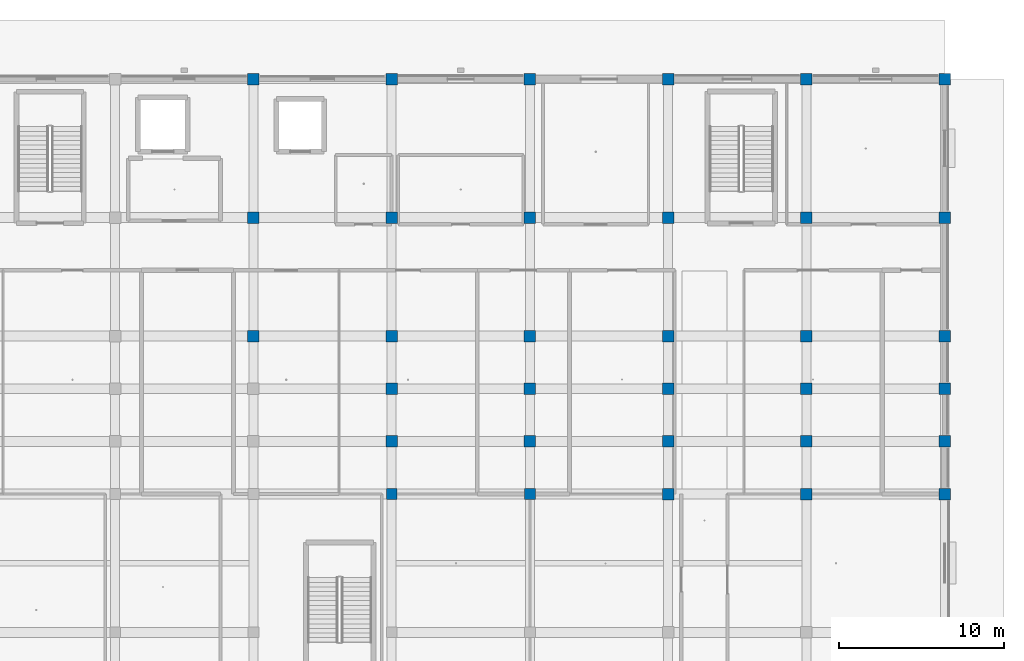
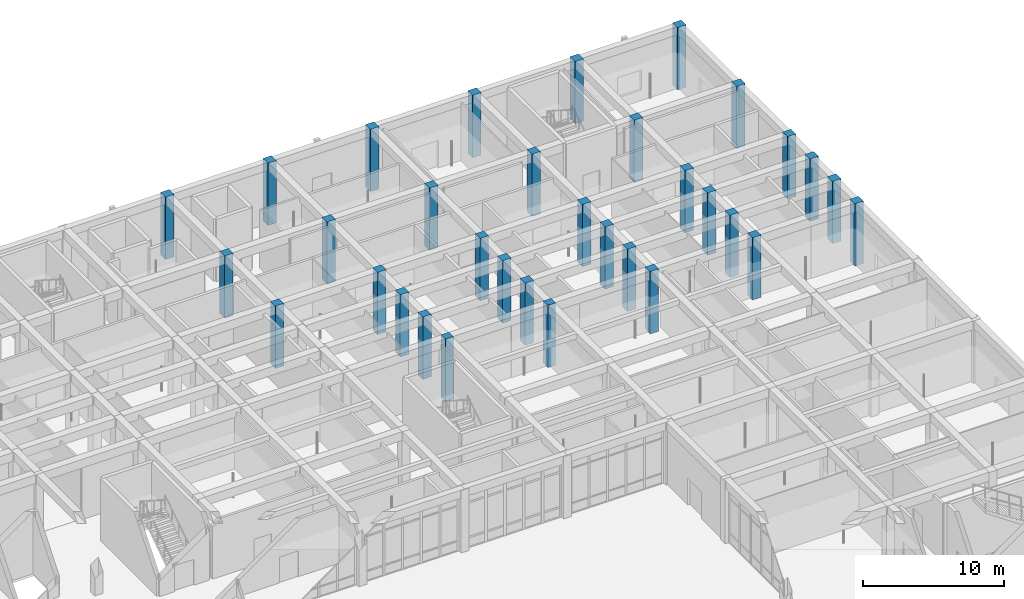
# One storey, part 6 of 167: 33 columns.
"""IFC4 building model written with IfcOpenShell, lengths in metres."""

from ifc_helpers import new_model, si_unit, direction, frame, origin, origin_2d, place, context, subcontext, project, spatial, rectangle, extrude, material, material_profile, profile_set, type_object, element, save


model = new_model("IFC4")

# Units and contexts
model_context = context("Model", 3, precision=1e-05, world=origin(), true_north=direction((0.0, 1.0)))
body_context = subcontext(model_context, "Body", "Model", "MODEL_VIEW")
ifc_project = project(units=[si_unit("LENGTHUNIT", "METRE"), si_unit("AREAUNIT", "SQUARE_METRE"), si_unit("VOLUMEUNIT", "CUBIC_METRE"), si_unit("PLANEANGLEUNIT", "RADIAN"), si_unit("MASSUNIT", "GRAM", prefix="KILO")], contexts=[model_context])

# Site, building, storey
site_placement = place(None, origin())
site = spatial("IfcSite", under=ifc_project, at=site_placement, CompositionType="ELEMENT")
building_placement = place(site_placement, origin())
building = spatial("IfcBuilding", under=site, at=building_placement, Name="Varncliffe General Hospital", CompositionType="ELEMENT")
storey_placement = place(building_placement, origin())
storey = spatial("IfcBuildingStorey", under=building, at=storey_placement, Name="L00", CompositionType="ELEMENT", Elevation=0.0)

# Columns
ifc_material = material(Name="Concrete C40/50 (CSA A23.1 40 MPa)", Category="concrete")
ifc_material_profile_1 = material_profile(ifc_material, rectangle(XDim=0.64990234375, YDim=0.64990234375, at=origin_2d()), Name="RC 650x650")
ifc_profile_set_1 = profile_set([ifc_material_profile_1], Name="Concrete C40/50 (CSA A23.1 40 MPa)")
column_type_1 = type_object("IfcColumnType", Name="Column C29 (Int RC 650x650)", PredefinedType="COLUMN", material=ifc_profile_set_1)
for number, where, z_axis, x_axis, name in (
    (1, (142.800048828125, 99.60009765625, 0.0), (0.0, 0.0, 1.0), (1.0, 0.0, 0.0), "L00 Column C29"),
    (2, (151.199951171875, 99.60009765625, 0.0), (0.0, 0.0, 1.0), (1.0, 0.0, 0.0), "L00 Column C29"),
):
    element("IfcColumn", number, at=place(storey_placement, frame(where, z_axis=z_axis, x_axis=x_axis)), inside=storey, type_object=column_type_1, Name=name, PredefinedType="COLUMN", context=body_context, shape_type="SweptSolid", body=[
        extrude(rectangle(XDim=0.64990234375, YDim=0.64990234375, at=origin_2d()), origin(), (0.0, 0.0, 1.0), 5.39990234375),
    ])
ifc_material_profile_2 = material_profile(ifc_material, rectangle(XDim=0.699951171875, YDim=0.699951171875, at=origin_2d()), Name="RC 700x700")
ifc_profile_set_2 = profile_set([ifc_material_profile_2], Name="Concrete C40/50 (CSA A23.1 40 MPa)")
column_type_2 = type_object("IfcColumnType", Name="Column C50 (Int RC 700x700)", PredefinedType="COLUMN", material=ifc_profile_set_2)
for number, where, z_axis, x_axis, name in (
    (3, (134.39990234375, 109.199951171875, 0.0), (0.0, 0.0, 1.0), (1.0, 0.0, 0.0), "L00 Column C50"),
    (4, (134.39990234375, 116.39990234375, 0.0), (0.0, 0.0, 1.0), (1.0, 0.0, 0.0), "L00 Column C50"),
    (5, (142.800048828125, 102.800048828125, 0.0), (0.0, 0.0, 1.0), (1.0, 0.0, 0.0), "L00 Column C50"),
    (6, (142.800048828125, 106.0, 0.0), (0.0, 0.0, 1.0), (1.0, 0.0, 0.0), "L00 Column C50"),
    (7, (142.800048828125, 109.199951171875, 0.0), (0.0, 0.0, 1.0), (1.0, 0.0, 0.0), "L00 Column C50"),
    (8, (142.800048828125, 116.39990234375, 0.0), (0.0, 0.0, 1.0), (1.0, 0.0, 0.0), "L00 Column C50"),
    (9, (151.199951171875, 102.800048828125, 0.0), (0.0, 0.0, 1.0), (1.0, 0.0, 0.0), "L00 Column C50"),
    (10, (151.199951171875, 106.0, 0.0), (0.0, 0.0, 1.0), (1.0, 0.0, 0.0), "L00 Column C50"),
    (11, (151.199951171875, 109.199951171875, 0.0), (0.0, 0.0, 1.0), (1.0, 0.0, 0.0), "L00 Column C50"),
    (12, (151.199951171875, 116.39990234375, 0.0), (0.0, 0.0, 1.0), (1.0, 0.0, 0.0), "L00 Column C50"),
    (13, (159.60009765625, 99.60009765625, 0.0), (0.0, 0.0, 1.0), (1.0, 0.0, 0.0), "L00 Column C50"),
    (14, (159.60009765625, 102.800048828125, 0.0), (0.0, 0.0, 1.0), (1.0, 0.0, 0.0), "L00 Column C50"),
    (15, (159.60009765625, 106.0, 0.0), (0.0, 0.0, 1.0), (1.0, 0.0, 0.0), "L00 Column C50"),
    (16, (159.60009765625, 109.199951171875, 0.0), (0.0, 0.0, 1.0), (1.0, 0.0, 0.0), "L00 Column C50"),
    (17, (159.60009765625, 116.39990234375, 0.0), (0.0, 0.0, 1.0), (1.0, 0.0, 0.0), "L00 Column C50"),
    (18, (168.0, 99.60009765625, 0.0), (0.0, 0.0, 1.0), (1.0, 0.0, 0.0), "L00 Column C50"),
    (19, (168.0, 102.800048828125, 0.0), (0.0, 0.0, 1.0), (1.0, 0.0, 0.0), "L00 Column C50"),
    (20, (168.0, 106.0, 0.0), (0.0, 0.0, 1.0), (1.0, 0.0, 0.0), "L00 Column C50"),
    (21, (168.0, 109.199951171875, 0.0), (0.0, 0.0, 1.0), (1.0, 0.0, 0.0), "L00 Column C50"),
    (22, (168.0, 116.39990234375, 0.0), (0.0, 0.0, 1.0), (1.0, 0.0, 0.0), "L00 Column C50"),
):
    element("IfcColumn", number, at=place(storey_placement, frame(where, z_axis=z_axis, x_axis=x_axis)), inside=storey, type_object=column_type_2, Name=name, PredefinedType="COLUMN", context=body_context, shape_type="SweptSolid", body=[
        extrude(rectangle(XDim=0.699951171875, YDim=0.699951171875, at=origin_2d()), origin(), (0.0, 0.0, 1.0), 5.39990234375),
    ])
ifc_material_profile_3 = material_profile(ifc_material, rectangle(XDim=0.699951171875, YDim=0.699951171875, at=origin_2d()), Name="RC 700x700")
ifc_profile_set_3 = profile_set([ifc_material_profile_3], Name="Concrete C40/50 (CSA A23.1 40 MPa)")
column_type_3 = type_object("IfcColumnType", Name="Column C54 (Ext RC 700x700)", PredefinedType="COLUMN", material=ifc_profile_set_3)
for number, where, z_axis, x_axis, name in (
    (23, (134.39990234375, 124.800048828125, 0.0), (0.0, 0.0, 1.0), (1.0, 0.0, 0.0), "L00 Column C54"),
    (24, (142.800048828125, 124.800048828125, 0.0), (0.0, 0.0, 1.0), (1.0, 0.0, 0.0), "L00 Column C54"),
    (25, (151.199951171875, 124.800048828125, 0.0), (0.0, 0.0, 1.0), (1.0, 0.0, 0.0), "L00 Column C54"),
    (26, (159.60009765625, 124.800048828125, 0.0), (0.0, 0.0, 1.0), (1.0, 0.0, 0.0), "L00 Column C54"),
    (27, (168.0, 124.800048828125, 0.0), (0.0, 0.0, 1.0), (1.0, 0.0, 0.0), "L00 Column C54"),
    (28, (176.39990234375, 99.60009765625, 0.0), (0.0, 0.0, 1.0), (1.0, 0.0, 0.0), "L00 Column C54"),
    (29, (176.39990234375, 102.800048828125, 0.0), (0.0, 0.0, 1.0), (1.0, 0.0, 0.0), "L00 Column C54"),
    (30, (176.39990234375, 106.0, 0.0), (0.0, 0.0, 1.0), (1.0, 0.0, 0.0), "L00 Column C54"),
    (31, (176.39990234375, 109.199951171875, 0.0), (0.0, 0.0, 1.0), (1.0, 0.0, 0.0), "L00 Column C54"),
    (32, (176.39990234375, 116.39990234375, 0.0), (0.0, 0.0, 1.0), (1.0, 0.0, 0.0), "L00 Column C54"),
    (33, (176.39990234375, 124.800048828125, 0.0), (0.0, 0.0, 1.0), (1.0, 0.0, 0.0), "L00 Column C54"),
):
    element("IfcColumn", number, at=place(storey_placement, frame(where, z_axis=z_axis, x_axis=x_axis)), inside=storey, type_object=column_type_3, Name=name, PredefinedType="COLUMN", context=body_context, shape_type="SweptSolid", body=[
        extrude(rectangle(XDim=0.699951171875, YDim=0.699951171875, at=origin_2d()), origin(), (0.0, 0.0, 1.0), 5.39990234375),
    ])

save(model, "model.ifc")
